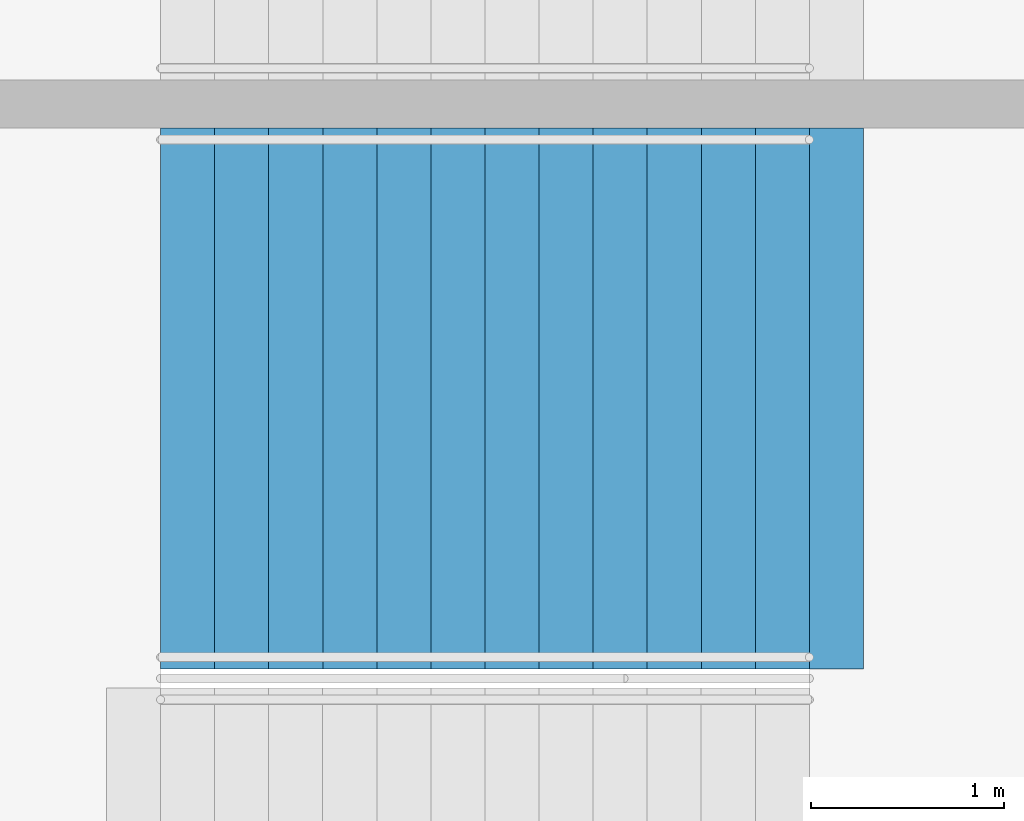
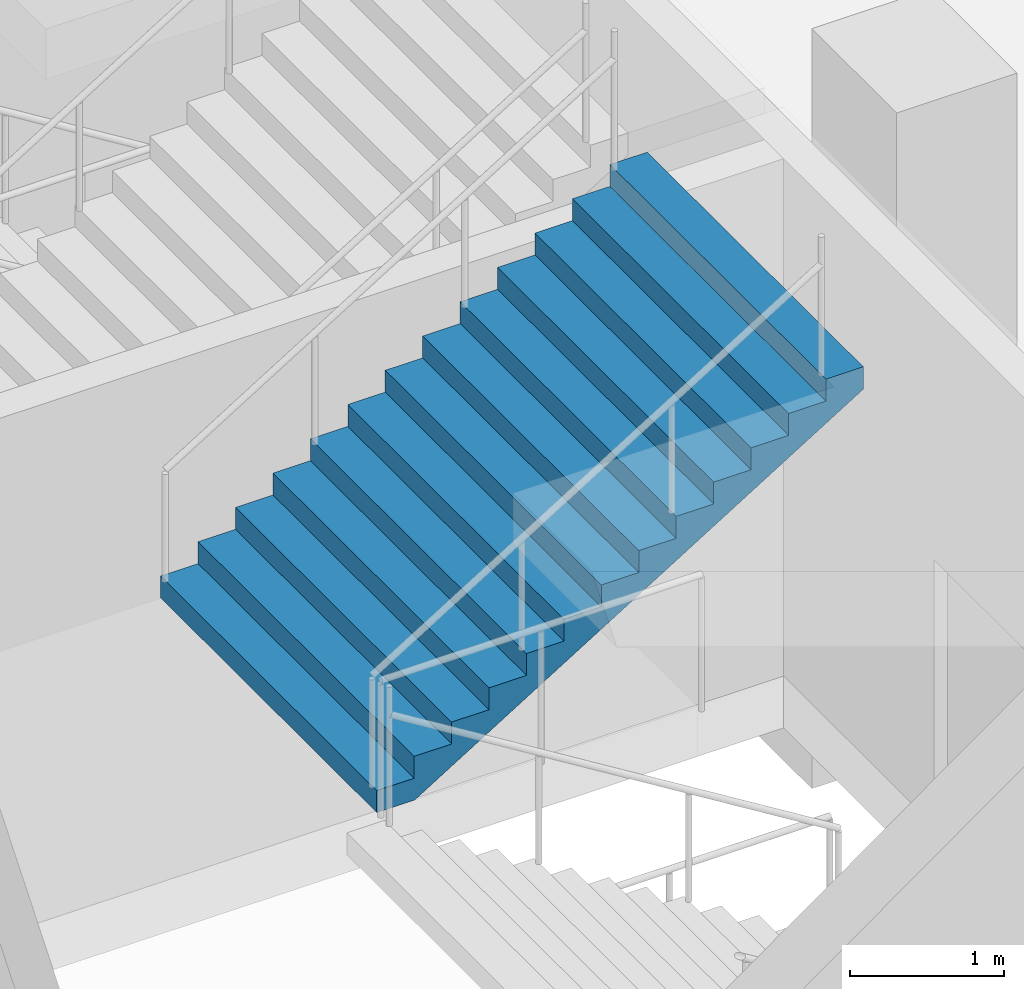
# One storey, part 161 of 249: 1 stair flight, 1 element without a shape of its own.
"""IFC4 building model written with IfcOpenShell, lengths in metres."""

from ifc_helpers import new_model, si_unit, direction, frame, origin, place, context, subcontext, project, spatial, faceted_brep, material, type_object, element, aggregate, save


model = new_model("IFC4")

# Units and contexts
model_context = context("Model", 3, precision=1e-05, world=origin(), true_north=direction((0.0, 1.0)))
body_context = subcontext(model_context, "Body", "Model", "MODEL_VIEW")
ifc_project = project(units=[si_unit("LENGTHUNIT", "METRE"), si_unit("AREAUNIT", "SQUARE_METRE"), si_unit("VOLUMEUNIT", "CUBIC_METRE"), si_unit("PLANEANGLEUNIT", "RADIAN"), si_unit("MASSUNIT", "GRAM", prefix="KILO")], contexts=[model_context])

# Site, building, storey
site_placement = place(None, origin())
site = spatial("IfcSite", under=ifc_project, at=site_placement, CompositionType="ELEMENT")
building_placement = place(site_placement, origin())
building = spatial("IfcBuilding", under=site, at=building_placement, Name="Ogive Plaza Stadium", CompositionType="ELEMENT")
storey_placement = place(building_placement, frame((0.0, 0.0, 13.5)))
storey = spatial("IfcBuildingStorey", under=building, at=storey_placement, Name="L03", CompositionType="ELEMENT", Elevation=13.5)

# Stair, stair flight
ifc_material_1 = material(Name="Concrete C40/50", Category="concrete")
stair_type = type_object("IfcStairType", Name="Exit stair", PredefinedType="STRAIGHT_RUN_STAIR", material=ifc_material_1)
stair_placement = place(storey_placement, origin())
stair = element("IfcStair", 1, at=stair_placement, inside=storey, type_object=stair_type, Name="Exit stair ST24B L03 to L04", PredefinedType="STRAIGHT_RUN_STAIR")
ifc_material_2 = material(Name="Concrete C40/50", Category="concrete")
stair_flight_type = type_object("IfcStairFlightType", Name="Exit stair flight", PredefinedType="STRAIGHT", material=ifc_material_2)
stair_flight_placement = place(storey_placement, frame((-79.7099609375, -9.02490234375, 2.25), z_axis=(0.0, 0.0, 1.0), x_axis=(1.0, 0.0, 0.0)))
stair_flight = element("IfcStairFlight", 2, at=stair_flight_placement, type_object=stair_flight_type, Name="ST24B flight 2", NumberOfRisers=13, NumberOfTreads=12, PredefinedType="STRAIGHT", RiserHeight=0.173076923, TreadLength=0.28, context=body_context, shape_type="Brep", body=[
    faceted_brep([(0.28515625, -1.39990234375, 0.0), (3.639892578125, -1.39990234375, 2.07373046875), (3.639892578125, -1.39990234375, 2.25), (3.360107421875, -1.39990234375, 2.25), (3.360107421875, -1.39990234375, 2.076904296875), (3.080078125, -1.39990234375, 2.076904296875), (3.080078125, -1.39990234375, 1.90380859375), (2.800048828125, -1.39990234375, 1.90380859375), (2.800048828125, -1.39990234375, 1.730712890625), (2.52001953125, -1.39990234375, 1.730712890625), (2.52001953125, -1.39990234375, 1.5576171875), (2.239990234375, -1.39990234375, 1.5576171875), (2.239990234375, -1.39990234375, 1.384521484375), (1.9599609375, -1.39990234375, 1.384521484375), (1.9599609375, -1.39990234375, 1.21142578125), (1.679931640625, -1.39990234375, 1.21142578125), (1.679931640625, -1.39990234375, 1.03857421875), (1.39990234375, -1.39990234375, 1.03857421875), (1.39990234375, -1.39990234375, 0.865478515625), (1.1201171875, -1.39990234375, 0.865478515625), (1.1201171875, -1.39990234375, 0.6923828125), (0.840087890625, -1.39990234375, 0.6923828125), (0.840087890625, -1.39990234375, 0.519287109375), (0.56005859375, -1.39990234375, 0.519287109375), (0.56005859375, -1.39990234375, 0.34619140625), (0.280029296875, -1.39990234375, 0.34619140625), (0.280029296875, -1.39990234375, 0.173095703125), (0.0, -1.39990234375, 0.173095703125), (0.0, -1.39990234375, 0.0), (0.0, 1.39990234375, 0.0), (0.0, 1.39990234375, 0.173095703125), (0.280029296875, 1.39990234375, 0.173095703125), (0.280029296875, 1.39990234375, 0.34619140625), (0.56005859375, 1.39990234375, 0.34619140625), (0.56005859375, 1.39990234375, 0.519287109375), (0.840087890625, 1.39990234375, 0.519287109375), (0.840087890625, 1.39990234375, 0.6923828125), (1.1201171875, 1.39990234375, 0.6923828125), (1.1201171875, 1.39990234375, 0.865478515625), (1.39990234375, 1.39990234375, 0.865478515625), (1.39990234375, 1.39990234375, 1.03857421875), (1.679931640625, 1.39990234375, 1.03857421875), (1.679931640625, 1.39990234375, 1.21142578125), (1.9599609375, 1.39990234375, 1.21142578125), (1.9599609375, 1.39990234375, 1.384521484375), (2.239990234375, 1.39990234375, 1.384521484375), (2.239990234375, 1.39990234375, 1.5576171875), (2.52001953125, 1.39990234375, 1.5576171875), (2.52001953125, 1.39990234375, 1.730712890625), (2.800048828125, 1.39990234375, 1.730712890625), (2.800048828125, 1.39990234375, 1.90380859375), (3.080078125, 1.39990234375, 1.90380859375), (3.080078125, 1.39990234375, 2.076904296875), (3.360107421875, 1.39990234375, 2.076904296875), (3.360107421875, 1.39990234375, 2.25), (3.639892578125, 1.39990234375, 2.25), (3.639892578125, 1.39990234375, 2.07373046875), (0.28515625, 1.39990234375, 0.0), (0.28515625, -1.0888671875, 0.0), (3.639892578125, -1.0888671875, 2.07373046875), (0.28515625, -0.77783203125, 0.0), (3.639892578125, -0.77783203125, 2.07373046875), (0.28515625, -0.466796875, 0.0), (3.639892578125, -0.466796875, 2.07373046875), (0.28515625, -0.155517578125, 0.0), (3.639892578125, -0.155517578125, 2.07373046875), (0.28515625, 0.155517578125, 0.0), (3.639892578125, 0.155517578125, 2.07373046875), (0.28515625, 0.466796875, 0.0), (3.639892578125, 0.466796875, 2.07373046875), (0.28515625, 0.77783203125, 0.0), (3.639892578125, 0.77783203125, 2.07373046875), (0.28515625, 1.0888671875, 0.0), (3.639892578125, 1.0888671875, 2.07373046875), (3.639892578125, -1.0888671875, 2.25), (3.639892578125, -0.77783203125, 2.25), (3.639892578125, -0.466796875, 2.25), (3.639892578125, -0.155517578125, 2.25), (3.639892578125, 0.155517578125, 2.25), (3.639892578125, 0.466796875, 2.25), (3.639892578125, 0.77783203125, 2.25), (3.639892578125, 1.0888671875, 2.25), (3.360107421875, -1.0888671875, 2.25), (3.360107421875, -0.77783203125, 2.25), (3.360107421875, -0.466796875, 2.25), (3.360107421875, -0.155517578125, 2.25), (3.360107421875, 0.155517578125, 2.25), (3.360107421875, 0.466796875, 2.25), (3.360107421875, 0.77783203125, 2.25), (3.360107421875, 1.0888671875, 2.25), (3.360107421875, -1.0888671875, 2.076904296875), (3.360107421875, -0.77783203125, 2.076904296875), (3.360107421875, -0.466796875, 2.076904296875), (3.360107421875, -0.155517578125, 2.076904296875), (3.360107421875, 0.155517578125, 2.076904296875), (3.360107421875, 0.466796875, 2.076904296875), (3.360107421875, 0.77783203125, 2.076904296875), (3.360107421875, 1.0888671875, 2.076904296875), (3.080078125, -1.0888671875, 2.076904296875), (3.080078125, -0.77783203125, 2.076904296875), (3.080078125, -0.466796875, 2.076904296875), (3.080078125, -0.155517578125, 2.076904296875), (3.080078125, 0.155517578125, 2.076904296875), (3.080078125, 0.466796875, 2.076904296875), (3.080078125, 0.77783203125, 2.076904296875), (3.080078125, 1.0888671875, 2.076904296875), (3.080078125, -1.0888671875, 1.90380859375), (3.080078125, -0.77783203125, 1.90380859375), (3.080078125, -0.466796875, 1.90380859375), (3.080078125, -0.155517578125, 1.90380859375), (3.080078125, 0.155517578125, 1.90380859375), (3.080078125, 0.466796875, 1.90380859375), (3.080078125, 0.77783203125, 1.90380859375), (3.080078125, 1.0888671875, 1.90380859375), (2.800048828125, -1.0888671875, 1.90380859375), (2.800048828125, -0.77783203125, 1.90380859375), (2.800048828125, -0.466796875, 1.90380859375), (2.800048828125, -0.155517578125, 1.90380859375), (2.800048828125, 0.155517578125, 1.90380859375), (2.800048828125, 0.466796875, 1.90380859375), (2.800048828125, 0.77783203125, 1.90380859375), (2.800048828125, 1.0888671875, 1.90380859375), (2.800048828125, -1.0888671875, 1.730712890625), (2.800048828125, -0.77783203125, 1.730712890625), (2.800048828125, -0.466796875, 1.730712890625), (2.800048828125, -0.155517578125, 1.730712890625), (2.800048828125, 0.155517578125, 1.730712890625), (2.800048828125, 0.466796875, 1.730712890625), (2.800048828125, 0.77783203125, 1.730712890625), (2.800048828125, 1.0888671875, 1.730712890625), (2.52001953125, -1.0888671875, 1.730712890625), (2.52001953125, -0.77783203125, 1.730712890625), (2.52001953125, -0.466796875, 1.730712890625), (2.52001953125, -0.155517578125, 1.730712890625), (2.52001953125, 0.155517578125, 1.730712890625), (2.52001953125, 0.466796875, 1.730712890625), (2.52001953125, 0.77783203125, 1.730712890625), (2.52001953125, 1.0888671875, 1.730712890625), (2.52001953125, -1.0888671875, 1.5576171875), (2.52001953125, -0.77783203125, 1.5576171875), (2.52001953125, -0.466796875, 1.5576171875), (2.52001953125, -0.155517578125, 1.5576171875), (2.52001953125, 0.155517578125, 1.5576171875), (2.52001953125, 0.466796875, 1.5576171875), (2.52001953125, 0.77783203125, 1.5576171875), (2.52001953125, 1.0888671875, 1.5576171875), (2.239990234375, -1.0888671875, 1.5576171875), (2.239990234375, -0.77783203125, 1.5576171875), (2.239990234375, -0.466796875, 1.5576171875), (2.239990234375, -0.155517578125, 1.5576171875), (2.239990234375, 0.155517578125, 1.5576171875), (2.239990234375, 0.466796875, 1.5576171875), (2.239990234375, 0.77783203125, 1.5576171875), (2.239990234375, 1.0888671875, 1.5576171875), (2.239990234375, -1.0888671875, 1.384521484375), (2.239990234375, -0.77783203125, 1.384521484375), (2.239990234375, -0.466796875, 1.384521484375), (2.239990234375, -0.155517578125, 1.384521484375), (2.239990234375, 0.155517578125, 1.384521484375), (2.239990234375, 0.466796875, 1.384521484375), (2.239990234375, 0.77783203125, 1.384521484375), (2.239990234375, 1.0888671875, 1.384521484375), (1.9599609375, -1.0888671875, 1.384521484375), (1.9599609375, -0.77783203125, 1.384521484375), (1.9599609375, -0.466796875, 1.384521484375), (1.9599609375, -0.155517578125, 1.384521484375), (1.9599609375, 0.155517578125, 1.384521484375), (1.9599609375, 0.466796875, 1.384521484375), (1.9599609375, 0.77783203125, 1.384521484375), (1.9599609375, 1.0888671875, 1.384521484375), (1.9599609375, -1.0888671875, 1.21142578125), (1.9599609375, -0.77783203125, 1.21142578125), (1.9599609375, -0.466796875, 1.21142578125), (1.9599609375, -0.155517578125, 1.21142578125), (1.9599609375, 0.155517578125, 1.21142578125), (1.9599609375, 0.466796875, 1.21142578125), (1.9599609375, 0.77783203125, 1.21142578125), (1.9599609375, 1.0888671875, 1.21142578125), (1.679931640625, -1.0888671875, 1.21142578125), (1.679931640625, -0.77783203125, 1.21142578125), (1.679931640625, -0.466796875, 1.21142578125), (1.679931640625, -0.155517578125, 1.21142578125), (1.679931640625, 0.155517578125, 1.21142578125), (1.679931640625, 0.466796875, 1.21142578125), (1.679931640625, 0.77783203125, 1.21142578125), (1.679931640625, 1.0888671875, 1.21142578125), (1.679931640625, -1.0888671875, 1.03857421875), (1.679931640625, -0.77783203125, 1.03857421875), (1.679931640625, -0.466796875, 1.03857421875), (1.679931640625, -0.155517578125, 1.03857421875), (1.679931640625, 0.155517578125, 1.03857421875), (1.679931640625, 0.466796875, 1.03857421875), (1.679931640625, 0.77783203125, 1.03857421875), (1.679931640625, 1.0888671875, 1.03857421875), (1.39990234375, -1.0888671875, 1.03857421875), (1.39990234375, -0.77783203125, 1.03857421875), (1.39990234375, -0.466796875, 1.03857421875), (1.39990234375, -0.155517578125, 1.03857421875), (1.39990234375, 0.155517578125, 1.03857421875), (1.39990234375, 0.466796875, 1.03857421875), (1.39990234375, 0.77783203125, 1.03857421875), (1.39990234375, 1.0888671875, 1.03857421875), (1.39990234375, -1.0888671875, 0.865478515625), (1.39990234375, -0.77783203125, 0.865478515625), (1.39990234375, -0.466796875, 0.865478515625), (1.39990234375, -0.155517578125, 0.865478515625), (1.39990234375, 0.155517578125, 0.865478515625), (1.39990234375, 0.466796875, 0.865478515625), (1.39990234375, 0.77783203125, 0.865478515625), (1.39990234375, 1.0888671875, 0.865478515625), (1.1201171875, -1.0888671875, 0.865478515625), (1.1201171875, -0.77783203125, 0.865478515625), (1.1201171875, -0.466796875, 0.865478515625), (1.1201171875, -0.155517578125, 0.865478515625), (1.1201171875, 0.155517578125, 0.865478515625), (1.1201171875, 0.466796875, 0.865478515625), (1.1201171875, 0.77783203125, 0.865478515625), (1.1201171875, 1.0888671875, 0.865478515625), (1.1201171875, -1.0888671875, 0.6923828125), (1.1201171875, -0.77783203125, 0.6923828125), (1.1201171875, -0.466796875, 0.6923828125), (1.1201171875, -0.155517578125, 0.6923828125), (1.1201171875, 0.155517578125, 0.6923828125), (1.1201171875, 0.466796875, 0.6923828125), (1.1201171875, 0.77783203125, 0.6923828125), (1.1201171875, 1.0888671875, 0.6923828125), (0.840087890625, -1.0888671875, 0.6923828125), (0.840087890625, -0.77783203125, 0.6923828125), (0.840087890625, -0.466796875, 0.6923828125), (0.840087890625, -0.155517578125, 0.6923828125), (0.840087890625, 0.155517578125, 0.6923828125), (0.840087890625, 0.466796875, 0.6923828125), (0.840087890625, 0.77783203125, 0.6923828125), (0.840087890625, 1.0888671875, 0.6923828125), (0.840087890625, -1.0888671875, 0.519287109375), (0.840087890625, -0.77783203125, 0.519287109375), (0.840087890625, -0.466796875, 0.519287109375), (0.840087890625, -0.155517578125, 0.519287109375), (0.840087890625, 0.155517578125, 0.519287109375), (0.840087890625, 0.466796875, 0.519287109375), (0.840087890625, 0.77783203125, 0.519287109375), (0.840087890625, 1.0888671875, 0.519287109375), (0.56005859375, -1.0888671875, 0.519287109375), (0.56005859375, -0.77783203125, 0.519287109375), (0.56005859375, -0.466796875, 0.519287109375), (0.56005859375, -0.155517578125, 0.519287109375), (0.56005859375, 0.155517578125, 0.519287109375), (0.56005859375, 0.466796875, 0.519287109375), (0.56005859375, 0.77783203125, 0.519287109375), (0.56005859375, 1.0888671875, 0.519287109375), (0.56005859375, -1.0888671875, 0.34619140625), (0.56005859375, -0.77783203125, 0.34619140625), (0.56005859375, -0.466796875, 0.34619140625), (0.56005859375, -0.155517578125, 0.34619140625), (0.56005859375, 0.155517578125, 0.34619140625), (0.56005859375, 0.466796875, 0.34619140625), (0.56005859375, 0.77783203125, 0.34619140625), (0.56005859375, 1.0888671875, 0.34619140625), (0.280029296875, -1.0888671875, 0.34619140625), (0.280029296875, -0.77783203125, 0.34619140625), (0.280029296875, -0.466796875, 0.34619140625), (0.280029296875, -0.155517578125, 0.34619140625), (0.280029296875, 0.155517578125, 0.34619140625), (0.280029296875, 0.466796875, 0.34619140625), (0.280029296875, 0.77783203125, 0.34619140625), (0.280029296875, 1.0888671875, 0.34619140625), (0.280029296875, -1.0888671875, 0.173095703125), (0.280029296875, -0.77783203125, 0.173095703125), (0.280029296875, -0.466796875, 0.173095703125), (0.280029296875, -0.155517578125, 0.173095703125), (0.280029296875, 0.155517578125, 0.173095703125), (0.280029296875, 0.466796875, 0.173095703125), (0.280029296875, 0.77783203125, 0.173095703125), (0.280029296875, 1.0888671875, 0.173095703125), (0.0, -1.0888671875, 0.173095703125), (0.0, -0.77783203125, 0.173095703125), (0.0, -0.466796875, 0.173095703125), (0.0, -0.155517578125, 0.173095703125), (0.0, 0.155517578125, 0.173095703125), (0.0, 0.466796875, 0.173095703125), (0.0, 0.77783203125, 0.173095703125), (0.0, 1.0888671875, 0.173095703125), (0.0, -1.0888671875, 0.0), (0.0, -0.77783203125, 0.0), (0.0, -0.466796875, 0.0), (0.0, -0.155517578125, 0.0), (0.0, 0.155517578125, 0.0), (0.0, 0.466796875, 0.0), (0.0, 0.77783203125, 0.0), (0.0, 1.0888671875, 0.0)], [[[0, 1, 2, 3, 4, 5, 6, 7, 8, 9, 10, 11, 12, 13, 14, 15, 16, 17, 18, 19, 20, 21, 22, 23, 24, 25, 26, 27, 28]], [[29, 30, 31, 32, 33, 34, 35, 36, 37, 38, 39, 40, 41, 42, 43, 44, 45, 46, 47, 48, 49, 50, 51, 52, 53, 54, 55, 56, 57]], [[0, 58, 59, 1]], [[58, 60, 61, 59]], [[60, 62, 63, 61]], [[62, 64, 65, 63]], [[64, 66, 67, 65]], [[66, 68, 69, 67]], [[68, 70, 71, 69]], [[70, 72, 73, 71]], [[72, 57, 56, 73]], [[1, 59, 74, 2]], [[59, 61, 75, 74]], [[61, 63, 76, 75]], [[63, 65, 77, 76]], [[65, 67, 78, 77]], [[67, 69, 79, 78]], [[69, 71, 80, 79]], [[71, 73, 81, 80]], [[73, 56, 55, 81]], [[2, 74, 82, 3]], [[74, 75, 83, 82]], [[75, 76, 84, 83]], [[76, 77, 85, 84]], [[77, 78, 86, 85]], [[78, 79, 87, 86]], [[79, 80, 88, 87]], [[80, 81, 89, 88]], [[81, 55, 54, 89]], [[3, 82, 90, 4]], [[82, 83, 91, 90]], [[83, 84, 92, 91]], [[84, 85, 93, 92]], [[85, 86, 94, 93]], [[86, 87, 95, 94]], [[87, 88, 96, 95]], [[88, 89, 97, 96]], [[89, 54, 53, 97]], [[4, 90, 98, 5]], [[90, 91, 99, 98]], [[91, 92, 100, 99]], [[92, 93, 101, 100]], [[93, 94, 102, 101]], [[94, 95, 103, 102]], [[95, 96, 104, 103]], [[96, 97, 105, 104]], [[97, 53, 52, 105]], [[5, 98, 106, 6]], [[98, 99, 107, 106]], [[99, 100, 108, 107]], [[100, 101, 109, 108]], [[101, 102, 110, 109]], [[102, 103, 111, 110]], [[103, 104, 112, 111]], [[104, 105, 113, 112]], [[105, 52, 51, 113]], [[6, 106, 114, 7]], [[106, 107, 115, 114]], [[107, 108, 116, 115]], [[108, 109, 117, 116]], [[109, 110, 118, 117]], [[110, 111, 119, 118]], [[111, 112, 120, 119]], [[112, 113, 121, 120]], [[113, 51, 50, 121]], [[7, 114, 122, 8]], [[114, 115, 123, 122]], [[115, 116, 124, 123]], [[116, 117, 125, 124]], [[117, 118, 126, 125]], [[118, 119, 127, 126]], [[119, 120, 128, 127]], [[120, 121, 129, 128]], [[121, 50, 49, 129]], [[8, 122, 130, 9]], [[122, 123, 131, 130]], [[123, 124, 132, 131]], [[124, 125, 133, 132]], [[125, 126, 134, 133]], [[126, 127, 135, 134]], [[127, 128, 136, 135]], [[128, 129, 137, 136]], [[129, 49, 48, 137]], [[9, 130, 138, 10]], [[130, 131, 139, 138]], [[131, 132, 140, 139]], [[132, 133, 141, 140]], [[133, 134, 142, 141]], [[134, 135, 143, 142]], [[135, 136, 144, 143]], [[136, 137, 145, 144]], [[137, 48, 47, 145]], [[10, 138, 146, 11]], [[138, 139, 147, 146]], [[139, 140, 148, 147]], [[140, 141, 149, 148]], [[141, 142, 150, 149]], [[142, 143, 151, 150]], [[143, 144, 152, 151]], [[144, 145, 153, 152]], [[145, 47, 46, 153]], [[11, 146, 154, 12]], [[146, 147, 155, 154]], [[147, 148, 156, 155]], [[148, 149, 157, 156]], [[149, 150, 158, 157]], [[150, 151, 159, 158]], [[151, 152, 160, 159]], [[152, 153, 161, 160]], [[153, 46, 45, 161]], [[12, 154, 162, 13]], [[154, 155, 163, 162]], [[155, 156, 164, 163]], [[156, 157, 165, 164]], [[157, 158, 166, 165]], [[158, 159, 167, 166]], [[159, 160, 168, 167]], [[160, 161, 169, 168]], [[161, 45, 44, 169]], [[13, 162, 170, 14]], [[162, 163, 171, 170]], [[163, 164, 172, 171]], [[164, 165, 173, 172]], [[165, 166, 174, 173]], [[166, 167, 175, 174]], [[167, 168, 176, 175]], [[168, 169, 177, 176]], [[169, 44, 43, 177]], [[14, 170, 178, 15]], [[170, 171, 179, 178]], [[171, 172, 180, 179]], [[172, 173, 181, 180]], [[173, 174, 182, 181]], [[174, 175, 183, 182]], [[175, 176, 184, 183]], [[176, 177, 185, 184]], [[177, 43, 42, 185]], [[15, 178, 186, 16]], [[178, 179, 187, 186]], [[179, 180, 188, 187]], [[180, 181, 189, 188]], [[181, 182, 190, 189]], [[182, 183, 191, 190]], [[183, 184, 192, 191]], [[184, 185, 193, 192]], [[185, 42, 41, 193]], [[16, 186, 194, 17]], [[186, 187, 195, 194]], [[187, 188, 196, 195]], [[188, 189, 197, 196]], [[189, 190, 198, 197]], [[190, 191, 199, 198]], [[191, 192, 200, 199]], [[192, 193, 201, 200]], [[193, 41, 40, 201]], [[17, 194, 202, 18]], [[194, 195, 203, 202]], [[195, 196, 204, 203]], [[196, 197, 205, 204]], [[197, 198, 206, 205]], [[198, 199, 207, 206]], [[199, 200, 208, 207]], [[200, 201, 209, 208]], [[201, 40, 39, 209]], [[18, 202, 210, 19]], [[202, 203, 211, 210]], [[203, 204, 212, 211]], [[204, 205, 213, 212]], [[205, 206, 214, 213]], [[206, 207, 215, 214]], [[207, 208, 216, 215]], [[208, 209, 217, 216]], [[209, 39, 38, 217]], [[19, 210, 218, 20]], [[210, 211, 219, 218]], [[211, 212, 220, 219]], [[212, 213, 221, 220]], [[213, 214, 222, 221]], [[214, 215, 223, 222]], [[215, 216, 224, 223]], [[216, 217, 225, 224]], [[217, 38, 37, 225]], [[20, 218, 226, 21]], [[218, 219, 227, 226]], [[219, 220, 228, 227]], [[220, 221, 229, 228]], [[221, 222, 230, 229]], [[222, 223, 231, 230]], [[223, 224, 232, 231]], [[224, 225, 233, 232]], [[225, 37, 36, 233]], [[21, 226, 234, 22]], [[226, 227, 235, 234]], [[227, 228, 236, 235]], [[228, 229, 237, 236]], [[229, 230, 238, 237]], [[230, 231, 239, 238]], [[231, 232, 240, 239]], [[232, 233, 241, 240]], [[233, 36, 35, 241]], [[22, 234, 242, 23]], [[234, 235, 243, 242]], [[235, 236, 244, 243]], [[236, 237, 245, 244]], [[237, 238, 246, 245]], [[238, 239, 247, 246]], [[239, 240, 248, 247]], [[240, 241, 249, 248]], [[241, 35, 34, 249]], [[23, 242, 250, 24]], [[242, 243, 251, 250]], [[243, 244, 252, 251]], [[244, 245, 253, 252]], [[245, 246, 254, 253]], [[246, 247, 255, 254]], [[247, 248, 256, 255]], [[248, 249, 257, 256]], [[249, 34, 33, 257]], [[24, 250, 258, 25]], [[250, 251, 259, 258]], [[251, 252, 260, 259]], [[252, 253, 261, 260]], [[253, 254, 262, 261]], [[254, 255, 263, 262]], [[255, 256, 264, 263]], [[256, 257, 265, 264]], [[257, 33, 32, 265]], [[25, 258, 266, 26]], [[258, 259, 267, 266]], [[259, 260, 268, 267]], [[260, 261, 269, 268]], [[261, 262, 270, 269]], [[262, 263, 271, 270]], [[263, 264, 272, 271]], [[264, 265, 273, 272]], [[265, 32, 31, 273]], [[26, 266, 274, 27]], [[266, 267, 275, 274]], [[267, 268, 276, 275]], [[268, 269, 277, 276]], [[269, 270, 278, 277]], [[270, 271, 279, 278]], [[271, 272, 280, 279]], [[272, 273, 281, 280]], [[273, 31, 30, 281]], [[27, 274, 282, 28]], [[274, 275, 283, 282]], [[275, 276, 284, 283]], [[276, 277, 285, 284]], [[277, 278, 286, 285]], [[278, 279, 287, 286]], [[279, 280, 288, 287]], [[280, 281, 289, 288]], [[281, 30, 29, 289]], [[28, 282, 58, 0]], [[282, 283, 60, 58]], [[283, 284, 62, 60]], [[284, 285, 64, 62]], [[285, 286, 66, 64]], [[286, 287, 68, 66]], [[287, 288, 70, 68]], [[288, 289, 72, 70]], [[289, 29, 57, 72]]]),
])
aggregate(stair, [stair_flight])

save(model, "model.ifc")
